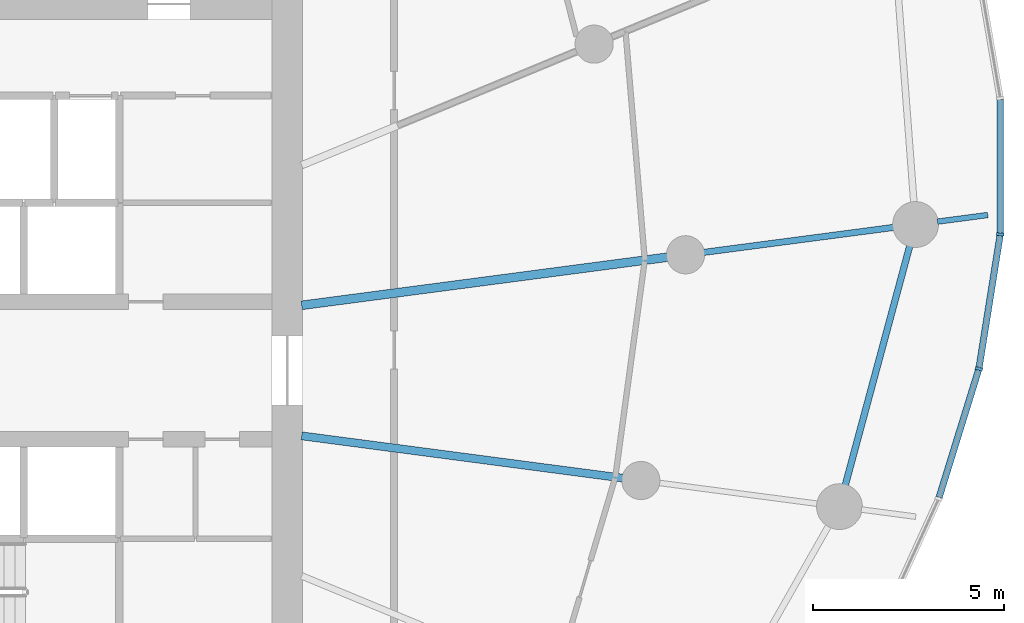
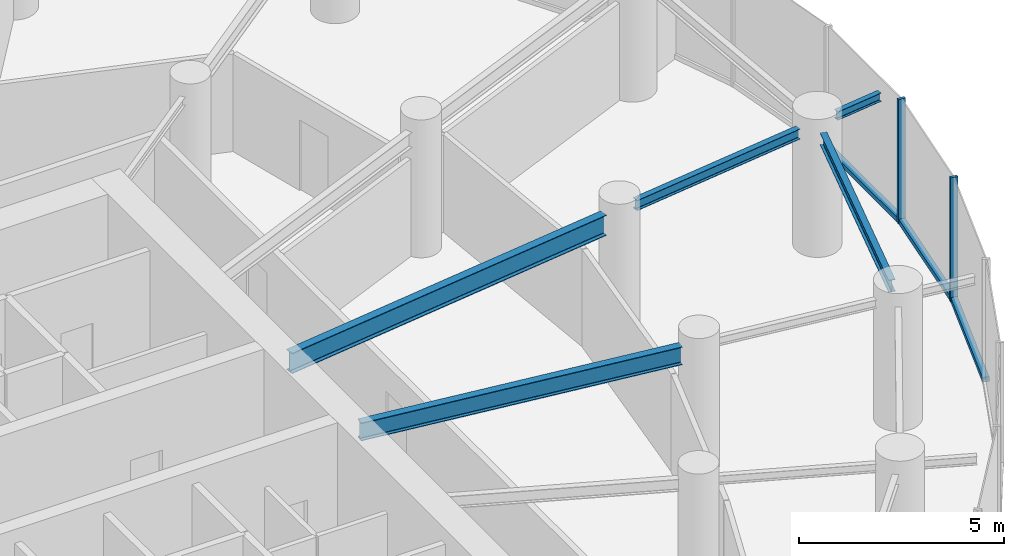
# One storey, part 5 of 17: 5 beams, 5 members, 2 elements without a shape of their own.
"""IFC4 building model written with IfcOpenShell, lengths in metres."""

from ifc_helpers import new_model, si_unit, direction, frame, origin, origin_2d, place, context, subcontext, project, spatial, rectangle, i_section, extrude, source, transform, mapped, material, layer, layer_set, material_profile, profile_set, type_object, element, aggregate, save


model = new_model("IFC4")

# Units and contexts
model_context = context("Model", 3, precision=1e-05, world=origin(), true_north=direction((0.0, 1.0)))
body_context = subcontext(model_context, "Body", "Model", "MODEL_VIEW")
ifc_project = project(units=[si_unit("LENGTHUNIT", "METRE"), si_unit("AREAUNIT", "SQUARE_METRE"), si_unit("VOLUMEUNIT", "CUBIC_METRE"), si_unit("PLANEANGLEUNIT", "RADIAN"), si_unit("MASSUNIT", "GRAM", prefix="KILO")], contexts=[model_context])

# Site, building, storey
site_placement = place(None, origin())
site = spatial("IfcSite", under=ifc_project, at=site_placement, CompositionType="ELEMENT")
building_placement = place(site_placement, origin())
building = spatial("IfcBuilding", under=site, at=building_placement, Name="Spindrift Exchange Tower", CompositionType="ELEMENT")
storey_placement = place(building_placement, frame((0.0, 0.0, 96.199951171875)))
storey = spatial("IfcBuildingStorey", under=building, at=storey_placement, Name="L22", CompositionType="ELEMENT", Elevation=96.199951171875)

# Beams
ifc_material_1 = material(Name="Steel Grade 300", Category="steel")
ifc_material_profile_1 = material_profile(ifc_material_1, i_section(OverallWidth=0.22802734375, OverallDepth=0.60693359375, WebThickness=0.01123046875, FlangeThickness=0.017333984375, FilletRadius=0.013916015625, at=origin_2d()), Name="610UB113")
ifc_profile_set_1 = profile_set([ifc_material_profile_1], Name="Steel Grade 300")
beam_type_1 = type_object("IfcBeamType", Name="Floor Beam 610UB113 Steel Grade 300", PredefinedType="BEAM", material=ifc_profile_set_1)
shared_shape_1 = source(origin(), body_context, "Body", "SweptSolid", [
    extrude(i_section(OverallWidth=0.22802734375, OverallDepth=0.60693359375, WebThickness=0.01123046875, FlangeThickness=0.017333984375, FilletRadius=0.013916015625, at=origin_2d()), origin(), (0.0, 0.0, 1.0), 9.660400390625),
])
beam_1_placement = place(storey_placement, frame((64.980224609375, 49.708984375, 3.396484375), z_axis=(0.99144767089, 0.130504850054, 0.0), x_axis=(-0.130504850054, 0.99144767089, 0.0)))
element("IfcBeam", 1, at=beam_1_placement, inside=storey, type_object=beam_type_1, Name="L22 radial beam R01A", PredefinedType="BEAM", context=body_context, shape_type="MappedRepresentation", body=[
    mapped(shared_shape_1, transform((0.0, 0.0, 0.0), scale=1.0)),
])
ifc_material_profile_2 = material_profile(ifc_material_1, i_section(OverallWidth=0.208984375, OverallDepth=0.532958984375, WebThickness=0.01025390625, FlangeThickness=0.015625, FilletRadius=0.013916015625, at=origin_2d()), Name="530UB92.4")
ifc_profile_set_2 = profile_set([ifc_material_profile_2], Name="Steel Grade 300")
beam_type_2 = type_object("IfcBeamType", Name="Floor Beam 530UB92.4 Steel Grade 300", PredefinedType="BEAM", material=ifc_profile_set_2)
shared_shape_2 = source(origin(), body_context, "Body", "SweptSolid", [
    extrude(i_section(OverallWidth=0.208984375, OverallDepth=0.532958984375, WebThickness=0.01025390625, FlangeThickness=0.015625, FilletRadius=0.013916015625, at=origin_2d()), origin(), (0.0, 0.0, 1.0), 8.4794921875),
])
beam_2_placement = place(storey_placement, frame((64.980224609375, 46.291015625, 3.43359375), z_axis=(0.991446551951, -0.13051335037, 0.0), x_axis=(0.13051335037, 0.991446551951, 0.0)))
element("IfcBeam", 2, at=beam_2_placement, inside=storey, type_object=beam_type_2, Name="L22 radial beam R24A", PredefinedType="BEAM", context=body_context, shape_type="MappedRepresentation", body=[
    mapped(shared_shape_2, transform((0.0, 0.0, 0.0), scale=1.0)),
])
ifc_material_profile_3 = material_profile(ifc_material_1, i_section(OverallWidth=0.1650390625, OverallDepth=0.303955078125, WebThickness=0.006103515625, FlangeThickness=0.01025390625, FilletRadius=0.011474609375, at=origin_2d()), Name="310UB40.4")
ifc_profile_set_3 = profile_set([ifc_material_profile_3], Name="Steel Grade 300")
beam_type_3 = type_object("IfcBeamType", Name="Floor Beam 310UB40.4 Steel Grade 300", PredefinedType="BEAM", material=ifc_profile_set_3)
shared_shape_3 = source(origin(), body_context, "Body", "SweptSolid", [
    extrude(i_section(OverallWidth=0.1650390625, OverallDepth=0.303955078125, WebThickness=0.006103515625, FlangeThickness=0.01025390625, FilletRadius=0.011474609375, at=origin_2d()), origin(), (0.0, 0.0, 1.0), 5.014404296875),
])
beam_3_placement = place(storey_placement, frame((75.509765625, 51.09521484375, 3.548095703125), z_axis=(0.99145015202, 0.13048599948, 0.0), x_axis=(-0.13048599948, 0.99145015202, 0.0)))
element("IfcBeam", 3, at=beam_3_placement, inside=storey, type_object=beam_type_3, Name="L22 radial beam R01B", PredefinedType="BEAM", context=body_context, shape_type="MappedRepresentation", body=[
    mapped(shared_shape_3, transform((0.0, 0.0, 0.0), scale=1.0)),
])
ifc_material_profile_4 = material_profile(ifc_material_1, i_section(OverallWidth=0.172119140625, OverallDepth=0.35888671875, WebThickness=0.008056640625, FlangeThickness=0.012939453125, FilletRadius=0.013916015625, at=origin_2d()), Name="360UB56.7")
ifc_profile_set_4 = profile_set([ifc_material_profile_4], Name="Steel Grade 300")
beam_type_4 = type_object("IfcBeamType", Name="Edge Beam 360UB56.7 Steel Grade 300", PredefinedType="SPANDREL", material=ifc_profile_set_4)
shared_shape_4 = source(origin(), body_context, "Body", "SweptSolid", [
    extrude(i_section(OverallWidth=0.172119140625, OverallDepth=0.35888671875, WebThickness=0.008056640625, FlangeThickness=0.012939453125, FilletRadius=0.013916015625, at=origin_2d()), origin(), (0.0, 0.0, 1.0), 6.4921875),
])
beam_4_placement = place(storey_placement, frame((79.215576171875, 44.996826171875, 3.5205078125), z_axis=(0.260262058381, 0.965538016324, 0.0), x_axis=(-0.965538016324, 0.260262058381, 0.0)))
element("IfcBeam", 4, at=beam_4_placement, inside=storey, type_object=beam_type_4, Name="L22 edge beam E24", PredefinedType="SPANDREL", context=body_context, shape_type="MappedRepresentation", body=[
    mapped(shared_shape_4, transform((0.0, 0.0, 0.0), scale=1.0)),
])
ifc_material_profile_5 = material_profile(ifc_material_1, i_section(OverallWidth=0.14599609375, OverallDepth=0.251953125, WebThickness=0.006103515625, FlangeThickness=0.008544921875, FilletRadius=0.011962890625, at=origin_2d()), Name="250UB31.4")
ifc_profile_set_5 = profile_set([ifc_material_profile_5], Name="Steel Grade 300")
beam_type_5 = type_object("IfcBeamType", Name="Cantilever Beam 250UB31.4 Steel Grade 300", PredefinedType="BEAM", material=ifc_profile_set_5)
shared_shape_5 = source(origin(), body_context, "Body", "SweptSolid", [
    extrude(i_section(OverallWidth=0.14599609375, OverallDepth=0.251953125, WebThickness=0.006103515625, FlangeThickness=0.008544921875, FilletRadius=0.011962890625, at=origin_2d()), origin(), (0.0, 0.0, 1.0), 1.330078125),
])
beam_5_placement = place(storey_placement, frame((81.63134765625, 51.90087890625, 3.573974609375), z_axis=(0.991422401773, 0.130696676553, 0.0), x_axis=(-0.130696676553, 0.991422401773, 0.0)))
element("IfcBeam", 5, at=beam_5_placement, inside=storey, type_object=beam_type_5, Name="L22 cantilever beam R01T", PredefinedType="BEAM", context=body_context, shape_type="MappedRepresentation", body=[
    mapped(shared_shape_5, transform((0.0, 0.0, 0.0), scale=1.0)),
])

# Curtain wall, member
ifc_material_2 = material(Name="Fritted laminated glass with bronze frame", Category="glass")
ifc_layer = layer(ifc_material_2, 0.18994140625)
ifc_layer_set = layer_set([ifc_layer], Name="ZONE 2 BRONZE FRITTED WALL")
curtain_wall_type = type_object("IfcCurtainWallType", Name="ZONE 2 BRONZE FRITTED WALL", PredefinedType="NOTDEFINED", material=ifc_layer_set)
curtain_wall_1_placement = place(storey_placement, origin())
curtain_wall_1 = element("IfcCurtainWall", 6, at=curtain_wall_1_placement, inside=storey, type_object=curtain_wall_type, Name="L22 Zone 2 Bronze Fritted Wall run 8", PredefinedType="NOTDEFINED")
ifc_material_3 = material(Name="Bronze anodised aluminium", Category="aluminium")
ifc_material_profile_6 = material_profile(ifc_material_3, rectangle(XDim=0.074951171875, YDim=0.18994140625, at=origin_2d()), Name="ZONE 2 BRONZE FRITTED WALL MULLION 75X190")
ifc_profile_set_6 = profile_set([ifc_material_profile_6], Name="Bronze anodised aluminium")
member_type_1 = type_object("IfcMemberType", Name="ZONE 2 BRONZE FRITTED WALL MULLION 75X190", PredefinedType="MULLION", material=ifc_profile_set_6)
shared_shape_6 = source(origin(), body_context, "Body", "SweptSolid", [
    extrude(rectangle(XDim=0.074951171875, YDim=0.18994140625, at=origin_2d()), origin(), (0.0, 0.0, 1.0), 3.699951171875),
])
member_1_placement = place(storey_placement, frame((82.71630859375, 48.046630859375, 0.0), z_axis=(0.0, 0.0, 1.0), x_axis=(0.226675277696, 0.973970388914, 0.0)))
member_1 = element("IfcMember", 7, at=member_1_placement, type_object=member_type_1, Name="L22 mullion CW-2.48", PredefinedType="MULLION", context=body_context, shape_type="MappedRepresentation", body=[
    mapped(shared_shape_6, transform((0.0, 0.0, 0.0), scale=1.0)),
])

curtain_wall_2_placement = place(storey_placement, origin())
curtain_wall_2 = element("IfcCurtainWall", 8, at=curtain_wall_2_placement, inside=storey, type_object=curtain_wall_type, Name="L22 Zone 2 Bronze Fritted Wall run 9", PredefinedType="NOTDEFINED")
member_2_placement = place(storey_placement, frame((83.27490234375, 51.567138671875, 0.0), z_axis=(0.0, 0.0, 1.0), x_axis=(0.07864258592, 0.996902875751, 0.0)))
member_2 = element("IfcMember", 9, at=member_2_placement, type_object=member_type_1, Name="L22 mullion CW-2.49", PredefinedType="MULLION", context=body_context, shape_type="MappedRepresentation", body=[
    mapped(shared_shape_6, transform((0.0, 0.0, 0.0), scale=1.0)),
])

# Member
ifc_material_profile_7 = material_profile(ifc_material_3, rectangle(XDim=0.169921875, YDim=0.139892578125, at=origin_2d()), Name="ZONE 2 BRONZE FRITTED WALL TRANSOM 170X140")
ifc_profile_set_7 = profile_set([ifc_material_profile_7], Name="Bronze anodised aluminium")
member_type_2 = type_object("IfcMemberType", Name="ZONE 2 BRONZE FRITTED WALL TRANSOM 170X140", PredefinedType="USERDEFINED", material=ifc_profile_set_7)
shared_shape_7 = source(origin(), body_context, "Body", "SweptSolid", [
    extrude(rectangle(XDim=0.169921875, YDim=0.139892578125, at=origin_2d()), origin(), (0.0, 0.0, 1.0), 3.489501953125),
])
member_3_placement = place(storey_placement, frame((82.72216796875, 48.083740234375, 0.070068359375), z_axis=(0.156724212829, 0.987642405486, 0.0), x_axis=(-0.987642405486, 0.156724212829, 0.0)))
member_3 = element("IfcMember", 10, at=member_3_placement, type_object=member_type_2, Name="L22 transom CW-2.48", ObjectType="TRANSOM", PredefinedType="USERDEFINED", context=body_context, shape_type="MappedRepresentation", body=[
    mapped(shared_shape_7, transform((0.0, 0.0, 0.0), scale=1.0)),
])

shared_shape_8 = source(origin(), body_context, "Body", "SweptSolid", [
    extrude(rectangle(XDim=0.169921875, YDim=0.139892578125, at=origin_2d()), origin(), (0.0, 0.0, 1.0), 3.48876953125),
])
member_4_placement = place(storey_placement, frame((83.27490234375, 51.6044921875, 0.070068359375), z_axis=(0.000139958011, 0.999999990206, 0.0), x_axis=(-0.999999990206, 0.000139958011, 0.0)))
member_4 = element("IfcMember", 11, at=member_4_placement, type_object=member_type_2, Name="L22 transom CW-2.49", ObjectType="TRANSOM", PredefinedType="USERDEFINED", context=body_context, shape_type="MappedRepresentation", body=[
    mapped(shared_shape_8, transform((0.0, 0.0, 0.0), scale=1.0)),
])

aggregate(curtain_wall_2, [member_2, member_4])

shared_shape_9 = source(origin(), body_context, "Body", "SweptSolid", [
    extrude(rectangle(XDim=0.169921875, YDim=0.139892578125, at=origin_2d()), origin(), (0.0, 0.0, 1.0), 3.489990234375),
])
member_5_placement = place(storey_placement, frame((81.674072265625, 44.6767578125, 0.070068359375), z_axis=(0.295481570603, 0.955348439803, 0.0), x_axis=(-0.955348439803, 0.295481570603, 0.0)))
member_5 = element("IfcMember", 12, at=member_5_placement, type_object=member_type_2, Name="L22 transom CW-2.47", ObjectType="TRANSOM", PredefinedType="USERDEFINED", context=body_context, shape_type="MappedRepresentation", body=[
    mapped(shared_shape_9, transform((0.0, 0.0, 0.0), scale=1.0)),
])

aggregate(curtain_wall_1, [member_5, member_1, member_3])

save(model, "model.ifc")
